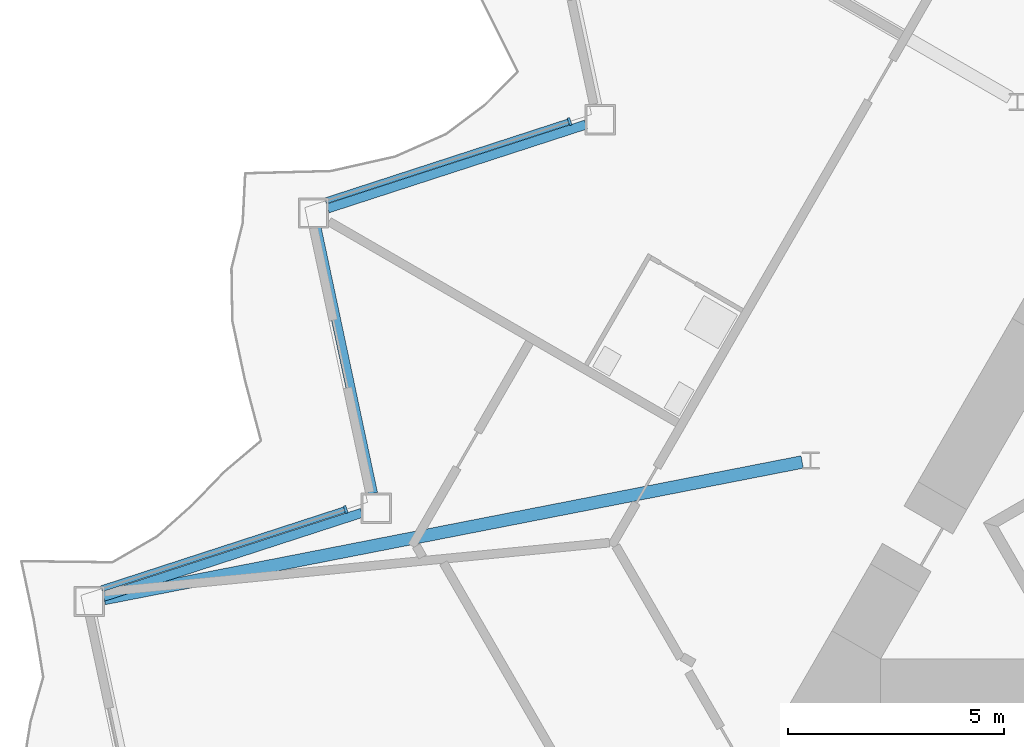
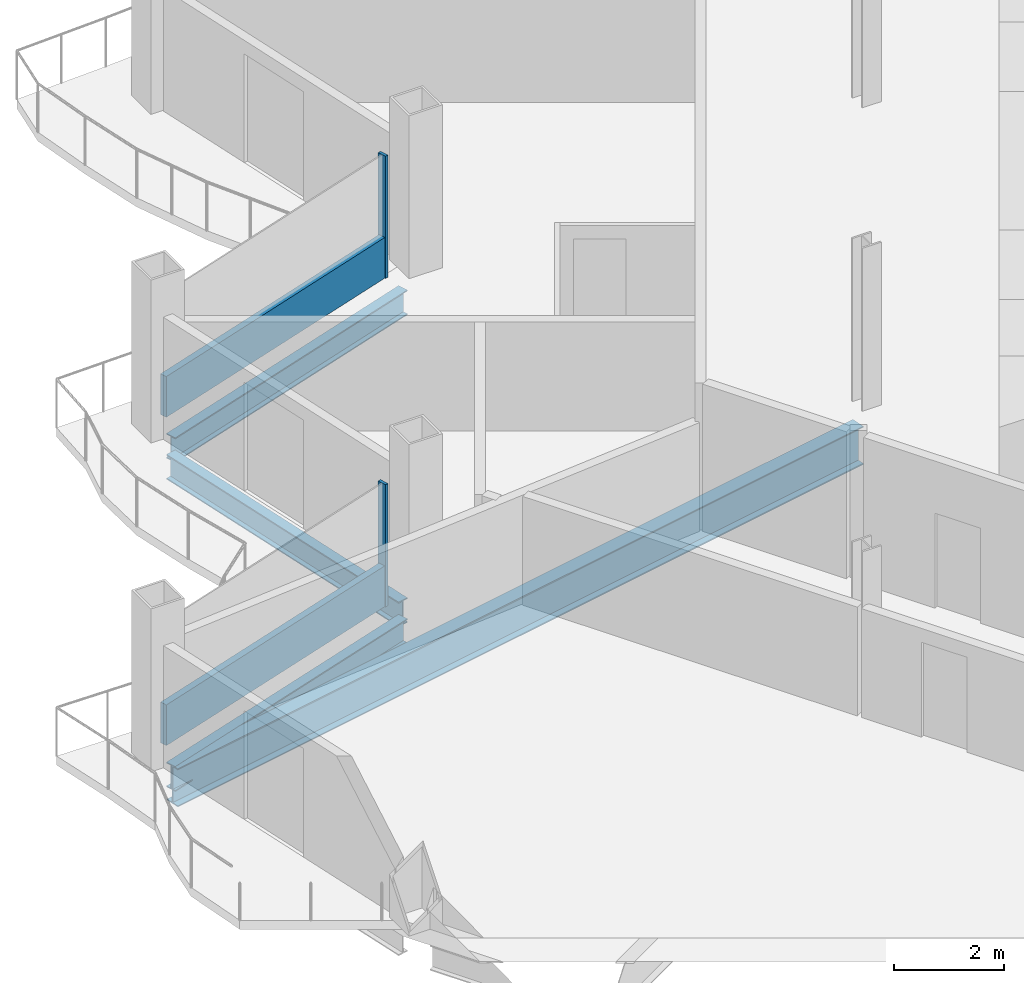
# One storey, part 5 of 23: 4 beams, 4 members, 2 elements without a shape of their own.
"""IFC4 building model written with IfcOpenShell, lengths in metres."""

from ifc_helpers import new_model, si_unit, direction, frame, origin, origin_2d, place, context, subcontext, project, spatial, rectangle, i_section, extrude, material, layer, layer_set, material_profile, profile_set, type_object, element, aggregate, save


model = new_model("IFC4")

# Units and contexts
model_context = context("Model", 3, precision=1e-05, world=origin(), true_north=direction((0.0, 1.0)))
body_context = subcontext(model_context, "Body", "Model", "MODEL_VIEW")
ifc_project = project(units=[si_unit("LENGTHUNIT", "METRE"), si_unit("AREAUNIT", "SQUARE_METRE"), si_unit("VOLUMEUNIT", "CUBIC_METRE"), si_unit("PLANEANGLEUNIT", "RADIAN"), si_unit("MASSUNIT", "GRAM", prefix="KILO")], contexts=[model_context])

# Site, building, storey
site_placement = place(None, origin())
site = spatial("IfcSite", under=ifc_project, at=site_placement, CompositionType="ELEMENT")
building_placement = place(site_placement, origin())
building = spatial("IfcBuilding", under=site, at=building_placement, Name="Cormorant Prow Tower", CompositionType="ELEMENT")
storey_placement = place(building_placement, frame((0.0, 0.0, 267.0)))
storey = spatial("IfcBuildingStorey", under=building, at=storey_placement, Name="L60", CompositionType="ELEMENT", Elevation=267.0)

# Curtain wall, member
ifc_material_1 = material(Name="Aluminium 6063-T6", Category="aluminium")
ifc_layer = layer(ifc_material_1, 0.179931640625)
ifc_layer_set = layer_set([ifc_layer], Name="Aluminium 6063-T6")
curtain_wall_type = type_object("IfcCurtainWallType", Name="Hotel unitised curtain wall 180", PredefinedType="NOTDEFINED", material=ifc_layer_set)
curtain_wall_1_placement = place(storey_placement, origin())
curtain_wall_1 = element("IfcCurtainWall", 1, at=curtain_wall_1_placement, inside=storey, type_object=curtain_wall_type, Name="Hotel curtain wall WNW06", PredefinedType="NOTDEFINED")
ifc_material_2 = material(Name="Aluminium 6063-T6", Category="aluminium")
ifc_material_profile_1 = material_profile(ifc_material_2, rectangle(XDim=0.179931640625, YDim=0.06005859375, at=origin_2d()), Name="Hotel mullion 60x180")
ifc_profile_set_1 = profile_set([ifc_material_profile_1], Name="Aluminium 6063-T6")
member_type_1 = type_object("IfcMemberType", Name="Hotel mullion 60x180", PredefinedType="MULLION", material=ifc_profile_set_1)
member_1_placement = place(storey_placement, frame((-19.946044921875, 5.07568359375, 0.0), z_axis=(0.0, 0.0, 1.0), x_axis=(0.309016997828, -0.951056515173, 0.0)))
member_1 = element("IfcMember", 2, at=member_1_placement, type_object=member_type_1, Name="Hotel mullion WNW06", PredefinedType="MULLION", context=body_context, shape_type="SweptSolid", body=[
    extrude(rectangle(XDim=0.179931640625, YDim=0.06005859375, at=origin_2d()), origin(), (0.0, 0.0, 1.0), 2.700927734375),
])

curtain_wall_2_placement = place(storey_placement, origin())
curtain_wall_2 = element("IfcCurtainWall", 3, at=curtain_wall_2_placement, inside=storey, type_object=curtain_wall_type, Name="Hotel curtain wall WNW08", PredefinedType="NOTDEFINED")
member_2_placement = place(storey_placement, frame((-25.128662109375, -3.90087890625, 0.0), z_axis=(0.0, 0.0, 1.0), x_axis=(0.309016997828, -0.951056515173, 0.0)))
member_2 = element("IfcMember", 4, at=member_2_placement, type_object=member_type_1, Name="Hotel mullion WNW08", PredefinedType="MULLION", context=body_context, shape_type="SweptSolid", body=[
    extrude(rectangle(XDim=0.179931640625, YDim=0.06005859375, at=origin_2d()), origin(), (0.0, 0.0, 1.0), 2.700927734375),
])

# Member
ifc_material_3 = material(Name="Terracotta", Category="masonry")
ifc_material_profile_2 = material_profile(ifc_material_3, rectangle(XDim=0.139892578125, YDim=0.89990234375, at=origin_2d()), Name="Hotel terracotta spandrel rail 140x900")
ifc_profile_set_2 = profile_set([ifc_material_profile_2], Name="Terracotta")
member_type_2 = type_object("IfcMemberType", Name="Hotel terracotta spandrel rail 140x900", PredefinedType="USERDEFINED", material=ifc_profile_set_2)
member_3_placement = place(storey_placement, frame((-19.974609375, 5.06640625, 0.449951171875), z_axis=(-0.951055309952, -0.309020707094, 0.0), x_axis=(0.309020707094, -0.951055309952, 0.0)))
member_3 = element("IfcMember", 5, at=member_3_placement, type_object=member_type_2, Name="Hotel spandrel rail WNW06", ObjectType="TRANSOM", PredefinedType="USERDEFINED", context=body_context, shape_type="SweptSolid", body=[
    extrude(rectangle(XDim=0.139892578125, YDim=0.89990234375, at=origin_2d()), origin(), (0.0, 0.0, 1.0), 5.911865234375),
])

aggregate(curtain_wall_1, [member_1, member_3])

member_4_placement = place(storey_placement, frame((-25.1572265625, -3.91015625, 0.449951171875), z_axis=(-0.951055309952, -0.309020707094, 0.0), x_axis=(0.309020707094, -0.951055309952, 0.0)))
member_4 = element("IfcMember", 6, at=member_4_placement, type_object=member_type_2, Name="Hotel spandrel rail WNW08", ObjectType="TRANSOM", PredefinedType="USERDEFINED", context=body_context, shape_type="SweptSolid", body=[
    extrude(rectangle(XDim=0.139892578125, YDim=0.89990234375, at=origin_2d()), origin(), (0.0, 0.0, 1.0), 5.911865234375),
])

aggregate(curtain_wall_2, [member_2, member_4])

# Beams
ifc_material_4 = material(Name="Structural steel ASTM A992 Gr 50", Category="steel")
ifc_material_profile_3 = material_profile(ifc_material_4, i_section(OverallWidth=0.29296875, OverallDepth=0.845703125, WebThickness=0.015380859375, FlangeThickness=0.0244140625, at=origin_2d()), Name="W33x141")
ifc_profile_set_3 = profile_set([ifc_material_profile_3], Name="Structural steel ASTM A992 Gr 50")
beam_type_1 = type_object("IfcBeamType", Name="Radial floor beam W33x141", PredefinedType="BEAM", material=ifc_profile_set_3)
beam_placement = place(storey_placement, frame((-14.5634765625, -2.80322265625, -0.77294921875), z_axis=(-0.981419133752, -0.191876220269, 0.0), x_axis=(0.191876220269, -0.981419133752, 0.0)))
element("IfcBeam", 7, at=beam_placement, inside=storey, type_object=beam_type_1, Name="Radial floor beam FB2 4 L60", PredefinedType="BEAM", context=body_context, shape_type="SweptSolid", body=[
    extrude(i_section(OverallWidth=0.29296875, OverallDepth=0.845703125, WebThickness=0.015380859375, FlangeThickness=0.0244140625, at=origin_2d()), origin(), (0.0, 0.0, 1.0), 16.462158203125),
])
ifc_material_5 = material(Name="Structural steel ASTM A992 Gr 50", Category="steel")
ifc_material_profile_4 = material_profile(ifc_material_5, i_section(OverallWidth=0.2138671875, OverallDepth=0.549072265625, WebThickness=0.0146484375, FlangeThickness=0.023681640625, at=origin_2d()), Name="W21x93")
ifc_profile_set_4 = profile_set([ifc_material_profile_4], Name="Structural steel ASTM A992 Gr 50")
beam_type_2 = type_object("IfcBeamType", Name="Spandrel beam W21x93", PredefinedType="SPANDREL", material=ifc_profile_set_4)
for number, where, z_axis, x_axis, name in (
    (8, (-19.568115234375, 5.00634765625, -0.62451171875), (-0.951061771288, -0.309000820701, 0.0), (0.309000820701, -0.951061771288, 0.0), "Spandrel beam SB2 WNW06-WNW07 L60"),
    (9, (-25.80224609375, 2.61474609375, -0.62451171875), (0.207941499013, -0.978141264331, 0.0), (0.978141264331, 0.207941499013, 0.0), "Spandrel beam SB2 WNW07-WNW08 L60"),
    (10, (-24.75634765625, -3.97998046875, -0.62451171875), (-0.951061771288, -0.309000820701, 0.0), (0.309000820701, -0.951061771288, 0.0), "Spandrel beam SB2 WNW08-WNW09 L60"),
):
    element("IfcBeam", number, at=place(storey_placement, frame(where, z_axis=z_axis, x_axis=x_axis)), inside=storey, type_object=beam_type_2, Name=name, PredefinedType="SPANDREL", context=body_context, shape_type="SweptSolid", body=[
        extrude(i_section(OverallWidth=0.2138671875, OverallDepth=0.549072265625, WebThickness=0.0146484375, FlangeThickness=0.023681640625, at=origin_2d()), origin(), (0.0, 0.0, 1.0), 6.28125),
    ])

save(model, "model.ifc")
